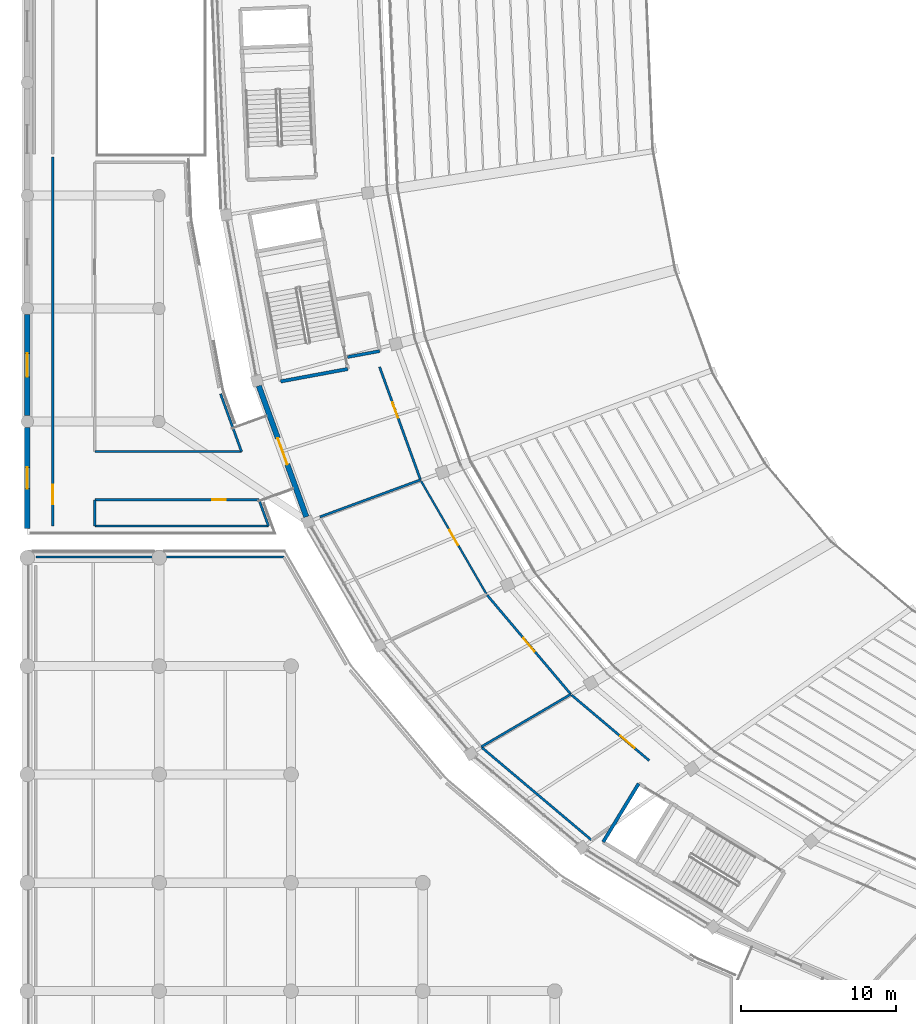
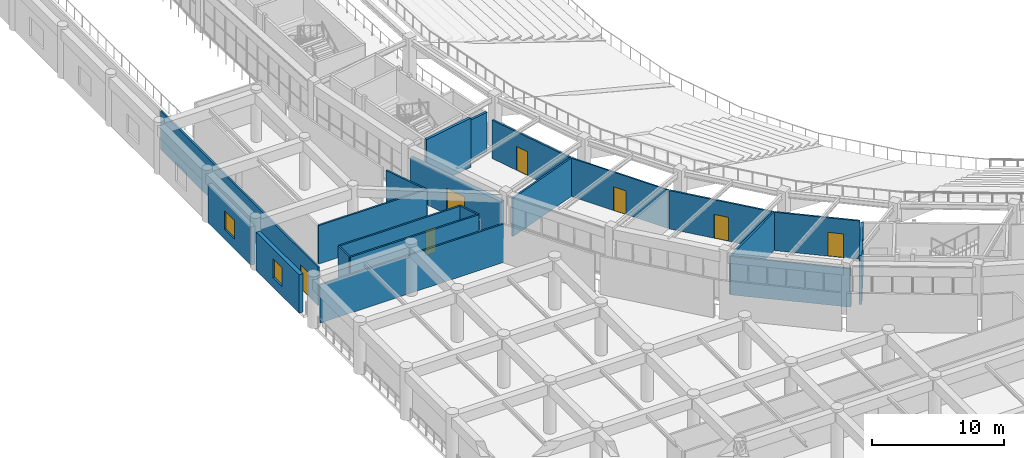
# One storey, part 92 of 137: 21 walls, 7 doors, 2 windows, 9 openings.
"""IFC4 building model written with IfcOpenShell, lengths in metres."""

from ifc_helpers import new_model, si_unit, direction, frame, frame_2d, origin, place, context, subcontext, project, spatial, rectangle, extrude, material, layer, layer_set, type_object, element, fill, save


model = new_model("IFC4")

# Units and contexts
model_context = context("Model", 3, precision=1e-05, world=origin(), true_north=direction((0.0, 1.0)))
body_context = subcontext(model_context, "Body", "Model", "MODEL_VIEW")
ifc_project = project(units=[si_unit("LENGTHUNIT", "METRE"), si_unit("AREAUNIT", "SQUARE_METRE"), si_unit("VOLUMEUNIT", "CUBIC_METRE"), si_unit("PLANEANGLEUNIT", "RADIAN"), si_unit("MASSUNIT", "GRAM", prefix="KILO")], contexts=[model_context])

# Site, building, storey
site_placement = place(None, origin())
site = spatial("IfcSite", under=ifc_project, at=site_placement, CompositionType="ELEMENT")
building_placement = place(site_placement, origin())
building = spatial("IfcBuilding", under=site, at=building_placement, Name="Mphavela Belvedere Stadium", CompositionType="ELEMENT")
storey_placement = place(building_placement, frame((0.0, 0.0, 19.199951171875)))
storey = spatial("IfcBuildingStorey", under=building, at=storey_placement, Name="L04", CompositionType="ELEMENT", Elevation=19.199951171875)

# Walls
ifc_material_1 = material(Name="Concrete C40/50", Category="concrete")
ifc_layer_1 = layer(ifc_material_1, 0.219970703125)
ifc_layer_set_1 = layer_set([ifc_layer_1], Name="Concrete C40/50")
wall_type_1 = type_object("IfcWallType", Name="WAL-CORE-SHEAR-220", PredefinedType="SHEAR", material=ifc_layer_set_1)
for number, where, z_axis, x_axis, name in (
    (1, (20.703857421875, 61.197021484375, 0.0), (0.0, 0.0, 1.0), (-0.983191575486, -0.182576904051, 0.0), "Core C09 shear wall L04 left"),
    (2, (39.497314453125, 34.4033203125, 0.0), (0.0, 0.0, 1.0), (-0.519664162523, -0.854370621095, 0.0), "Core C10 shear wall L04 right"),
):
    element("IfcWall", number, at=place(storey_placement, frame(where, z_axis=z_axis, x_axis=x_axis)), inside=storey, type_object=wall_type_1, Name=name, PredefinedType="SHEAR", context=body_context, shape_type="SweptSolid", body=[
        extrude(rectangle(XDim=4.41015625, YDim=0.219970703125, at=frame_2d((2.205078125, 0.0))), origin(), (0.0, 0.0, 1.0), 4.550048828125),
    ])

# Wall, opening, door
ifc_material_2 = material(Name="Honed ashlar limestone masonry", Category="masonry")
ifc_layer_2 = layer(ifc_material_2, 0.35009765625)
ifc_layer_set_2 = layer_set([ifc_layer_2], Name="Honed ashlar limestone masonry")
wall_type_2 = type_object("IfcWallType", Name="WAL-EXT-ASHLAR-350", PredefinedType="STANDARD", material=ifc_layer_set_2)
wall_1_placement = place(storey_placement, frame((18.025146484375, 51.644775390625, 0.0), z_axis=(0.0, 0.0, 1.0), x_axis=(-0.341022457694, 0.9400551491, 0.0)))
wall_1 = element("IfcWall", 3, at=wall_1_placement, inside=storey, type_object=wall_type_2, Name="Classical link portal wall L04-27", PredefinedType="STANDARD", context=body_context, shape_type="SweptSolid", body=[
    extrude(rectangle(XDim=9.00537109375, YDim=0.35009765625, at=frame_2d((4.502685546875, 0.0))), origin(), (0.0, 0.0, 1.0), 3.570068359375),
])
opening_1_placement = place(wall_1_placement, frame((3.602783203125, 0.0, 0.0)))
opening_1 = element("IfcOpeningElement", 4, at=opening_1_placement, cuts=wall_1, Name="Opening ID-9426", PredefinedType="OPENING", context=body_context, shape_type="SweptSolid", body=[
    extrude(rectangle(XDim=1.800048828125, YDim=2.39990234375, at=frame_2d((0.89990234375, 1.199951171875))), frame((0.0, 0.18505859375, 0.0), z_axis=(0.0, -1.0, 0.0), x_axis=(1.0, 0.0, 0.0)), (0.0, 0.0, 1.0), 0.3701171875),
])
ifc_material_3 = material(Name="Glazed bronze-anodised steel exit doorset", Category="steel")
door_type_1 = type_object("IfcDoorType", Name="DR-EXT-01", OperationType="NOTDEFINED", PredefinedType="DOOR", material=ifc_material_3)
door_1_placement = place(opening_1_placement, origin())
door_1 = element("IfcDoor", 5, at=door_1_placement, inside=storey, type_object=door_type_1, Name="Wing promenade link doorset L04-27", OperationType="DOUBLE_DOOR_SINGLE_SWING", OverallHeight=2.39990234375, OverallWidth=1.800048828125, PredefinedType="DOOR", context=body_context, shape_type="SweptSolid", body=[
    extrude(rectangle(XDim=1.800048828125, YDim=2.39990234375, at=frame_2d((0.89990234375, 1.199951171875))), frame((0.0, 0.02490234375, 0.0), z_axis=(0.0, -1.0, 0.0), x_axis=(1.0, 0.0, 0.0)), (0.0, 0.0, 1.0), 0.050048828125),
])
fill(opening_1, door_1)

# Wall, opening, window
wall_2_placement = place(storey_placement, frame((0.0, 50.89794921875, 0.0), z_axis=(0.0, 0.0, 1.0), x_axis=(0.0, 1.0, 0.0)))
wall_2 = element("IfcWall", 6, at=wall_2_placement, inside=storey, type_object=wall_type_2, Name="West Planted Eaves Peristyle Colonnade outer facade bay L04-01", PredefinedType="STANDARD", context=body_context, shape_type="SweptSolid", body=[
    extrude(rectangle(XDim=6.504150390625, YDim=0.35009765625, at=frame_2d((3.251953125, 0.0))), origin(), (0.0, 0.0, 1.0), 3.56005859375),
])
opening_2_placement = place(wall_2_placement, frame((2.56201171875, 0.0, 0.89990234375)))
opening_2 = element("IfcOpeningElement", 7, at=opening_2_placement, cuts=wall_2, Name="Opening W-278", PredefinedType="OPENING", context=body_context, shape_type="SweptSolid", body=[
    extrude(rectangle(XDim=1.3798828125, YDim=1.75, at=frame_2d((0.68994140625, 0.875))), frame((0.0, 0.18505859375, 0.0), z_axis=(0.0, -1.0, 0.0), x_axis=(1.0, 0.0, 0.0)), (0.0, 0.0, 1.0), 0.3701171875),
])
ifc_material_4 = material(Name="Bronze-anodised thermally broken aluminium window", Category="aluminium")
window_type_1 = type_object("IfcWindowType", Name="WIN-EXT-14", PartitioningType="SINGLE_PANEL", PredefinedType="WINDOW", material=ifc_material_4)
window_1_placement = place(opening_2_placement, origin())
window_1 = element("IfcWindow", 8, at=window_1_placement, inside=storey, type_object=window_type_1, Name="West Planted Eaves Peristyle Colonnade classical window W-278", OverallHeight=1.75, OverallWidth=1.3798828125, PartitioningType="SINGLE_PANEL", PredefinedType="WINDOW", context=body_context, shape_type="SweptSolid", body=[
    extrude(rectangle(XDim=1.3798828125, YDim=1.75, at=frame_2d((0.68994140625, 0.875))), frame((0.0, 0.030029296875, 0.0), z_axis=(0.0, -1.0, 0.0), x_axis=(1.0, 0.0, 0.0)), (0.0, 0.0, 1.0), 0.06005859375),
])
fill(opening_2, window_1)

wall_3_placement = place(storey_placement, frame((0.0, 58.197998046875, 0.0), z_axis=(0.0, 0.0, 1.0), x_axis=(0.0, 1.0, 0.0)))
wall_3 = element("IfcWall", 9, at=wall_3_placement, inside=storey, type_object=wall_type_2, Name="West Planted Eaves Peristyle Colonnade outer facade bay L04-02", PredefinedType="STANDARD", context=body_context, shape_type="SweptSolid", body=[
    extrude(rectangle(XDim=6.50390625, YDim=0.35009765625, at=frame_2d((3.251953125, 0.0))), origin(), (0.0, 0.0, 1.0), 3.56005859375),
])
opening_3_placement = place(wall_3_placement, frame((2.491943359375, 0.0, 0.89990234375)))
opening_3 = element("IfcOpeningElement", 10, at=opening_3_placement, cuts=wall_3, Name="Opening W-279", PredefinedType="OPENING", context=body_context, shape_type="SweptSolid", body=[
    extrude(rectangle(XDim=1.52001953125, YDim=1.75, at=frame_2d((0.760009765625, 0.875))), frame((0.0, 0.18505859375, 0.0), z_axis=(0.0, -1.0, 0.0), x_axis=(1.0, 0.0, 0.0)), (0.0, 0.0, 1.0), 0.3701171875),
])
ifc_material_5 = material(Name="Bronze-anodised thermally broken aluminium window", Category="aluminium")
window_type_2 = type_object("IfcWindowType", Name="WIN-EXT-15", PartitioningType="SINGLE_PANEL", PredefinedType="WINDOW", material=ifc_material_5)
window_2_placement = place(opening_3_placement, origin())
window_2 = element("IfcWindow", 11, at=window_2_placement, inside=storey, type_object=window_type_2, Name="West Planted Eaves Peristyle Colonnade classical window W-279", OverallHeight=1.75, OverallWidth=1.52001953125, PartitioningType="SINGLE_PANEL", PredefinedType="WINDOW", context=body_context, shape_type="SweptSolid", body=[
    extrude(rectangle(XDim=1.52001953125, YDim=1.75, at=frame_2d((0.760009765625, 0.875))), frame((0.0, 0.030029296875, 0.0), z_axis=(0.0, -1.0, 0.0), x_axis=(1.0, 0.0, 0.0)), (0.0, 0.0, 1.0), 0.06005859375),
])
fill(opening_3, window_2)

# Wall, opening, door
ifc_material_6 = material(Name="Moisture-resistant sanitary partition assembly")
ifc_layer_3 = layer(ifc_material_6, 0.125)
ifc_layer_set_3 = layer_set([ifc_layer_3], Name="Moisture-resistant sanitary partition assembly")
wall_type_3 = type_object("IfcWallType", Name="WAL-PART-125", PredefinedType="PARTITIONING", material=ifc_layer_set_3)
wall_4_placement = place(storey_placement, frame((25.43603515625, 53.96142578125, 0.0), z_axis=(0.0, 0.0, 1.0), x_axis=(0.500563217362, -0.865699985806, 0.0)))
wall_4 = element("IfcWall", 12, at=wall_4_placement, inside=storey, type_object=wall_type_3, Name="Room L04-74 corridor partition", PredefinedType="PARTITIONING", context=body_context, shape_type="SweptSolid", body=[
    extrude(rectangle(XDim=8.444091796875, YDim=0.125, at=frame_2d((4.22216796875, 0.0))), origin(), (0.0, 0.0, 1.0), 3.550048828125),
])
opening_4_placement = place(wall_4_placement, frame((3.672119140625, 0.0, 0.0)))
opening_4 = element("IfcOpeningElement", 13, at=opening_4_placement, cuts=wall_4, Name="Opening ID-342", PredefinedType="OPENING", context=body_context, shape_type="SweptSolid", body=[
    extrude(rectangle(XDim=1.10009765625, YDim=2.199951171875, at=frame_2d((0.550048828125, 1.10009765625))), frame((0.0, 0.072509765625, 0.0), z_axis=(0.0, -1.0, 0.0), x_axis=(1.0, 0.0, 0.0)), (0.0, 0.0, 1.0), 0.14501953125),
])
ifc_material_7 = material(Name="Hardwood acoustic timber doorset", Category="wood")
door_type_2 = type_object("IfcDoorType", Name="DR-INT-18", OperationType="NOTDEFINED", PredefinedType="DOOR", material=ifc_material_7)
door_2_placement = place(opening_4_placement, origin())
door_2 = element("IfcDoor", 14, at=door_2_placement, inside=storey, type_object=door_type_2, Name="Room L04-74 entrance door ID-342", OperationType="SINGLE_SWING_RIGHT", OverallHeight=2.199951171875, OverallWidth=1.10009765625, PredefinedType="DOOR", context=body_context, shape_type="SweptSolid", body=[
    extrude(rectangle(XDim=1.10009765625, YDim=2.199951171875, at=frame_2d((0.550048828125, 1.10009765625))), frame((0.0, 0.02490234375, 0.0), z_axis=(0.0, -1.0, 0.0), x_axis=(1.0, 0.0, 0.0)), (0.0, 0.0, 1.0), 0.050048828125),
])
fill(opening_4, door_2)

ifc_material_8 = material(Name="Acoustic gypsum stud partition assembly")
ifc_layer_4 = layer(ifc_material_8, 0.14990234375)
ifc_layer_set_4 = layer_set([ifc_layer_4], Name="Acoustic gypsum stud partition assembly")
wall_type_4 = type_object("IfcWallType", Name="WAL-PART-150", PredefinedType="PARTITIONING", material=ifc_layer_set_4)
wall_5_placement = place(storey_placement, frame((22.754638671875, 61.333740234375, 0.0), z_axis=(0.0, 0.0, 1.0), x_axis=(0.341020941611, -0.940055699085, 0.0)))
wall_5 = element("IfcWall", 15, at=wall_5_placement, inside=storey, type_object=wall_type_4, Name="Room L04-72 corridor partition", PredefinedType="PARTITIONING", context=body_context, shape_type="SweptSolid", body=[
    extrude(rectangle(XDim=7.7646484375, YDim=0.14990234375, at=frame_2d((3.88232421875, 0.0))), origin(), (0.0, 0.0, 1.0), 3.550048828125),
])
opening_5_placement = place(wall_5_placement, frame((2.442626953125, 0.0, 0.0)))
opening_5 = element("IfcOpeningElement", 16, at=opening_5_placement, cuts=wall_5, Name="Opening ID-341", PredefinedType="OPENING", context=body_context, shape_type="SweptSolid", body=[
    extrude(rectangle(XDim=1.06005859375, YDim=2.199951171875, at=frame_2d((0.530029296875, 1.10009765625))), frame((0.0, 0.0849609375, 0.0), z_axis=(0.0, -1.0, 0.0), x_axis=(1.0, 0.0, 0.0)), (0.0, 0.0, 1.0), 0.169921875),
])
ifc_material_9 = material(Name="Hardwood acoustic timber doorset", Category="wood")
door_type_3 = type_object("IfcDoorType", Name="DR-INT-17", OperationType="NOTDEFINED", PredefinedType="DOOR", material=ifc_material_9)
door_3_placement = place(opening_5_placement, origin())
door_3 = element("IfcDoor", 17, at=door_3_placement, inside=storey, type_object=door_type_3, Name="Room L04-72 entrance door ID-341", OperationType="SINGLE_SWING_LEFT", OverallHeight=2.199951171875, OverallWidth=1.06005859375, PredefinedType="DOOR", context=body_context, shape_type="SweptSolid", body=[
    extrude(rectangle(XDim=1.06005859375, YDim=2.199951171875, at=frame_2d((0.530029296875, 1.10009765625))), frame((0.0, 0.02490234375, 0.0), z_axis=(0.0, -1.0, 0.0), x_axis=(1.0, 0.0, 0.0)), (0.0, 0.0, 1.0), 0.050048828125),
])
fill(opening_5, door_3)

wall_6_placement = place(storey_placement, frame((29.70849609375, 46.58447265625, 0.0), z_axis=(0.0, 0.0, 1.0), x_axis=(0.645175528474, -0.764034382379, 0.0)))
wall_6 = element("IfcWall", 18, at=wall_6_placement, inside=storey, type_object=wall_type_4, Name="Room L04-76 corridor partition", PredefinedType="PARTITIONING", context=body_context, shape_type="SweptSolid", body=[
    extrude(rectangle(XDim=8.382568359375, YDim=0.14990234375, at=frame_2d((4.19140625, 0.0))), origin(), (0.0, 0.0, 1.0), 3.550048828125),
])
opening_6_placement = place(wall_6_placement, frame((3.62109375, 0.0, 0.0)))
opening_6 = element("IfcOpeningElement", 19, at=opening_6_placement, cuts=wall_6, Name="Opening ID-343", PredefinedType="OPENING", context=body_context, shape_type="SweptSolid", body=[
    extrude(rectangle(XDim=1.139892578125, YDim=2.199951171875, at=frame_2d((0.56982421875, 1.10009765625))), frame((0.0, 0.0849609375, 0.0), z_axis=(0.0, -1.0, 0.0), x_axis=(1.0, 0.0, 0.0)), (0.0, 0.0, 1.0), 0.169921875),
])
ifc_material_10 = material(Name="Hardwood acoustic timber doorset", Category="wood")
door_type_4 = type_object("IfcDoorType", Name="DR-INT-19", OperationType="NOTDEFINED", PredefinedType="DOOR", material=ifc_material_10)
door_4_placement = place(opening_6_placement, origin())
door_4 = element("IfcDoor", 20, at=door_4_placement, inside=storey, type_object=door_type_4, Name="Room L04-76 entrance door ID-343", OperationType="SINGLE_SWING_LEFT", OverallHeight=2.199951171875, OverallWidth=1.139892578125, PredefinedType="DOOR", context=body_context, shape_type="SweptSolid", body=[
    extrude(rectangle(XDim=1.139892578125, YDim=2.199951171875, at=frame_2d((0.56982421875, 1.10009765625))), frame((0.0, 0.02490234375, 0.0), z_axis=(0.0, -1.0, 0.0), x_axis=(1.0, 0.0, 0.0)), (0.0, 0.0, 1.0), 0.050048828125),
])
fill(opening_6, door_4)

wall_7_placement = place(storey_placement, frame((35.173583984375, 40.12060546875, 0.0), z_axis=(0.0, 0.0, 1.0), x_axis=(0.764267382471, -0.644899502319, 0.0)))
wall_7 = element("IfcWall", 21, at=wall_7_placement, inside=storey, type_object=wall_type_4, Name="Room L04-78 corridor partition", PredefinedType="PARTITIONING", context=body_context, shape_type="SweptSolid", body=[
    extrude(rectangle(XDim=6.552978515625, YDim=0.14990234375, at=frame_2d((3.2763671875, 0.0))), origin(), (0.0, 0.0, 1.0), 3.550048828125),
])
opening_7_placement = place(wall_7_placement, frame((4.1064453125, 0.0, 0.0)))
opening_7 = element("IfcOpeningElement", 22, at=opening_7_placement, cuts=wall_7, Name="Opening ID-344", PredefinedType="OPENING", context=body_context, shape_type="SweptSolid", body=[
    extrude(rectangle(XDim=1.179931640625, YDim=2.199951171875, at=frame_2d((0.58984375, 1.10009765625))), frame((0.0, 0.0849609375, 0.0), z_axis=(0.0, -1.0, 0.0), x_axis=(1.0, 0.0, 0.0)), (0.0, 0.0, 1.0), 0.169921875),
])
ifc_material_11 = material(Name="Hardwood acoustic timber doorset", Category="wood")
door_type_5 = type_object("IfcDoorType", Name="DR-INT-20", OperationType="NOTDEFINED", PredefinedType="DOOR", material=ifc_material_11)
door_5_placement = place(opening_7_placement, origin())
door_5 = element("IfcDoor", 23, at=door_5_placement, inside=storey, type_object=door_type_5, Name="Room L04-78 entrance door ID-344", OperationType="SINGLE_SWING_RIGHT", OverallHeight=2.199951171875, OverallWidth=1.179931640625, PredefinedType="DOOR", context=body_context, shape_type="SweptSolid", body=[
    extrude(rectangle(XDim=1.179931640625, YDim=2.199951171875, at=frame_2d((0.58984375, 1.10009765625))), frame((0.0, 0.02490234375, 0.0), z_axis=(0.0, -1.0, 0.0), x_axis=(1.0, 0.0, 0.0)), (0.0, 0.0, 1.0), 0.050048828125),
])
fill(opening_7, door_5)

wall_8_placement = place(storey_placement, frame((1.639892578125, 74.88330078125, 0.0), z_axis=(0.0, 0.0, 1.0), x_axis=(0.0, -1.0, 0.0)))
wall_8 = element("IfcWall", 24, at=wall_8_placement, inside=storey, type_object=wall_type_4, Name="Room L04-130 corridor partition", PredefinedType="PARTITIONING", context=body_context, shape_type="SweptSolid", body=[
    extrude(rectangle(XDim=23.833251953125, YDim=0.14990234375, at=frame_2d((11.91650390625, 0.0))), origin(), (0.0, 0.0, 1.0), 3.550048828125),
])
opening_8_placement = place(wall_8_placement, frame((21.156494140625, 0.0, 0.0)))
opening_8 = element("IfcOpeningElement", 25, at=opening_8_placement, cuts=wall_8, Name="Opening ID-526", PredefinedType="OPENING", context=body_context, shape_type="SweptSolid", body=[
    extrude(rectangle(XDim=1.260009765625, YDim=2.199951171875, at=frame_2d((0.6298828125, 1.10009765625))), frame((0.0, 0.0849609375, 0.0), z_axis=(0.0, -1.0, 0.0), x_axis=(1.0, 0.0, 0.0)), (0.0, 0.0, 1.0), 0.169921875),
])
ifc_material_12 = material(Name="Hardwood acoustic timber doorset", Category="wood")
door_type_6 = type_object("IfcDoorType", Name="DR-INT-22", OperationType="NOTDEFINED", PredefinedType="DOOR", material=ifc_material_12)
door_6_placement = place(opening_8_placement, origin())
door_6 = element("IfcDoor", 26, at=door_6_placement, inside=storey, type_object=door_type_6, Name="Room L04-130 entrance door ID-526", OperationType="SINGLE_SWING_RIGHT", OverallHeight=2.199951171875, OverallWidth=1.260009765625, PredefinedType="DOOR", context=body_context, shape_type="SweptSolid", body=[
    extrude(rectangle(XDim=1.260009765625, YDim=2.199951171875, at=frame_2d((0.6298828125, 1.10009765625))), frame((0.0, 0.02490234375, 0.0), z_axis=(0.0, -1.0, 0.0), x_axis=(1.0, 0.0, 0.0)), (0.0, 0.0, 1.0), 0.050048828125),
])
fill(opening_8, door_6)

wall_9_placement = place(storey_placement, frame((4.360107421875, 52.739990234375, 0.0), z_axis=(0.0, 0.0, 1.0), x_axis=(1.0, 0.0, 0.0)))
wall_9 = element("IfcWall", 27, at=wall_9_placement, inside=storey, type_object=wall_type_4, Name="Room L04-133 corridor partition", PredefinedType="PARTITIONING", context=body_context, shape_type="SweptSolid", body=[
    extrude(rectangle(XDim=10.6083984375, YDim=0.14990234375, at=frame_2d((5.30419921875, 0.0))), origin(), (0.0, 0.0, 1.0), 3.550048828125),
])
opening_9_placement = place(wall_9_placement, frame((7.57470703125, 0.0, 0.0)))
opening_9 = element("IfcOpeningElement", 28, at=opening_9_placement, cuts=wall_9, Name="Opening ID-529", PredefinedType="OPENING", context=body_context, shape_type="SweptSolid", body=[
    extrude(rectangle(XDim=0.89990234375, YDim=2.300048828125, at=frame_2d((0.449951171875, 1.14990234375))), frame((0.0, 0.0849609375, 0.0), z_axis=(0.0, -1.0, 0.0), x_axis=(1.0, 0.0, 0.0)), (0.0, 0.0, 1.0), 0.169921875),
])
ifc_material_13 = material(Name="Hardwood acoustic timber doorset", Category="wood")
door_type_7 = type_object("IfcDoorType", Name="DR-INT-25", OperationType="NOTDEFINED", PredefinedType="DOOR", material=ifc_material_13)
door_7_placement = place(opening_9_placement, origin())
door_7 = element("IfcDoor", 29, at=door_7_placement, inside=storey, type_object=door_type_7, Name="Room L04-133 entrance door ID-529", OperationType="SINGLE_SWING_LEFT", OverallHeight=2.300048828125, OverallWidth=0.89990234375, PredefinedType="DOOR", context=body_context, shape_type="SweptSolid", body=[
    extrude(rectangle(XDim=0.89990234375, YDim=2.300048828125, at=frame_2d((0.449951171875, 1.14990234375))), frame((0.0, 0.02490234375, 0.0), z_axis=(0.0, -1.0, 0.0), x_axis=(1.0, 0.0, 0.0)), (0.0, 0.0, 1.0), 0.050048828125),
])
fill(opening_9, door_7)

# Walls
wall_10_placement = place(storey_placement, frame((25.402587890625, 54.034423828125, 0.0), z_axis=(0.0, 0.0, 1.0), x_axis=(-0.938351535792, -0.345682506466, 0.0)))
element("IfcWall", 30, at=wall_10_placement, inside=storey, type_object=wall_type_4, Name="Room divider partition L04-0611", PredefinedType="PARTITIONING", context=body_context, shape_type="SweptSolid", body=[
    extrude(rectangle(XDim=6.93115234375, YDim=0.14990234375, at=frame_2d((3.465576171875, 0.0))), origin(), (0.0, 0.0, 1.0), 3.550048828125),
])
wall_11_placement = place(storey_placement, frame((35.11669921875, 40.179931640625, 0.0), z_axis=(0.0, 0.0, 1.0), x_axis=(-0.862533364667, -0.506000192527, 0.0)))
element("IfcWall", 31, at=wall_11_placement, inside=storey, type_object=wall_type_4, Name="Room divider partition L04-0614", PredefinedType="PARTITIONING", context=body_context, shape_type="SweptSolid", body=[
    extrude(rectangle(XDim=6.71826171875, YDim=0.14990234375, at=frame_2d((3.359130859375, 0.0))), origin(), (0.0, 0.0, 1.0), 3.550048828125),
])
wall_12_placement = place(storey_placement, frame((36.44384765625, 30.76416015625, 0.0), z_axis=(0.0, 0.0, 1.0), x_axis=(-0.764260552728, 0.644907596129, 0.0)))
element("IfcWall", 32, at=wall_12_placement, inside=storey, type_object=wall_type_4, Name="Room divider partition L04-0617", PredefinedType="PARTITIONING", context=body_context, shape_type="SweptSolid", body=[
    extrude(rectangle(XDim=9.23974609375, YDim=0.14990234375, at=frame_2d((4.619873046875, 0.0))), origin(), (0.0, 0.0, 1.0), 3.550048828125),
])
wall_13_placement = place(storey_placement, frame((0.550048828125, 49.050048828125, 0.0), z_axis=(0.0, 0.0, 1.0), x_axis=(1.0, 0.0, 0.0)))
element("IfcWall", 33, at=wall_13_placement, inside=storey, type_object=wall_type_4, Name="Room divider partition L04-0848", PredefinedType="PARTITIONING", context=body_context, shape_type="SweptSolid", body=[
    extrude(rectangle(XDim=16.017333984375, YDim=0.14990234375, at=frame_2d((8.0087890625, 0.0))), origin(), (0.0, 0.0, 1.0), 3.550048828125),
])
wall_14_placement = place(storey_placement, frame((14.968505859375, 52.739990234375, 0.0), z_axis=(0.0, 0.0, 1.0), x_axis=(0.341012375502, -0.940058806541, 0.0)))
element("IfcWall", 34, at=wall_14_placement, inside=storey, type_object=wall_type_4, Name="Room divider partition L04-1202", PredefinedType="PARTITIONING", context=body_context, shape_type="SweptSolid", body=[
    extrude(rectangle(XDim=1.797607421875, YDim=0.14990234375, at=frame_2d((0.89892578125, 0.0))), origin(), (0.0, 0.0, 1.0), 3.550048828125),
])
wall_15_placement = place(storey_placement, frame((15.58154296875, 51.050048828125, 0.0), z_axis=(0.0, 0.0, 1.0), x_axis=(-1.0, 0.0, 0.0)))
element("IfcWall", 35, at=wall_15_placement, inside=storey, type_object=wall_type_4, Name="Room divider partition L04-1203", PredefinedType="PARTITIONING", context=body_context, shape_type="SweptSolid", body=[
    extrude(rectangle(XDim=11.221435546875, YDim=0.14990234375, at=frame_2d((5.61083984375, 0.0))), origin(), (0.0, 0.0, 1.0), 3.550048828125),
])
wall_16_placement = place(storey_placement, frame((4.360107421875, 51.050048828125, 0.0), z_axis=(0.0, 0.0, 1.0), x_axis=(0.0, 1.0, 0.0)))
element("IfcWall", 36, at=wall_16_placement, inside=storey, type_object=wall_type_4, Name="Room divider partition L04-1204", PredefinedType="PARTITIONING", context=body_context, shape_type="SweptSolid", body=[
    extrude(rectangle(XDim=1.68994140625, YDim=0.14990234375, at=frame_2d((0.844970703125, 0.0))), origin(), (0.0, 0.0, 1.0), 3.550048828125),
])
wall_17_placement = place(storey_placement, frame((12.4853515625, 59.5849609375, 0.0), z_axis=(0.0, 0.0, 1.0), x_axis=(0.341035525383, -0.94005040845, 0.0)))
element("IfcWall", 37, at=wall_17_placement, inside=storey, type_object=wall_type_4, Name="Room divider partition L04-1206", PredefinedType="PARTITIONING", context=body_context, shape_type="SweptSolid", body=[
    extrude(rectangle(XDim=3.96240234375, YDim=0.14990234375, at=frame_2d((1.981201171875, 0.0))), origin(), (0.0, 0.0, 1.0), 3.550048828125),
])
wall_18_placement = place(storey_placement, frame((13.836669921875, 55.860107421875, 0.0), z_axis=(0.0, 0.0, 1.0), x_axis=(-1.0, 0.0, 0.0)))
element("IfcWall", 38, at=wall_18_placement, inside=storey, type_object=wall_type_4, Name="Room divider partition L04-1207", PredefinedType="PARTITIONING", context=body_context, shape_type="SweptSolid", body=[
    extrude(rectangle(XDim=9.4765625, YDim=0.14990234375, at=frame_2d((4.73828125, 0.0))), origin(), (0.0, 0.0, 1.0), 3.550048828125),
])
ifc_material_14 = material(Name="Fire-rated calcium silicate partition assembly")
ifc_layer_5 = layer(ifc_material_14, 0.199951171875)
ifc_layer_set_5 = layer_set([ifc_layer_5], Name="Fire-rated calcium silicate partition assembly")
wall_type_5 = type_object("IfcWallType", Name="WAL-PART-FF-200", PredefinedType="PARTITIONING", material=ifc_layer_set_5)
wall_19_placement = place(storey_placement, frame((22.7724609375, 62.354248046875, 0.0), z_axis=(0.0, 0.0, 1.0), x_axis=(-0.983181056789, -0.18263353901, 0.0)))
element("IfcWall", 39, at=wall_19_placement, inside=storey, type_object=wall_type_5, Name="Firefighting lobby side wall L C09 L04", PredefinedType="PARTITIONING", context=body_context, shape_type="SweptSolid", body=[
    extrude(rectangle(XDim=2.1201171875, YDim=0.199951171875, at=frame_2d((1.06005859375, 0.0))), origin(), (0.0, 0.0, 1.0), 3.650146484375),
])

save(model, "model.ifc")
